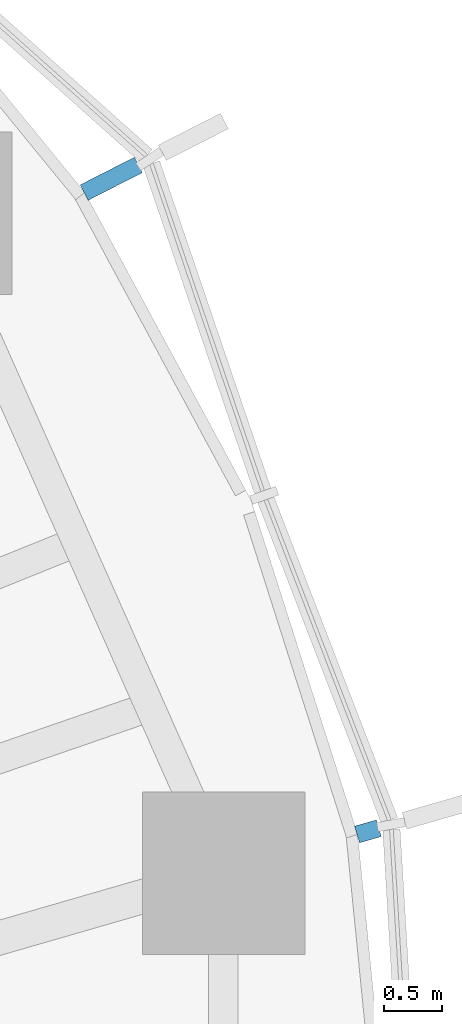
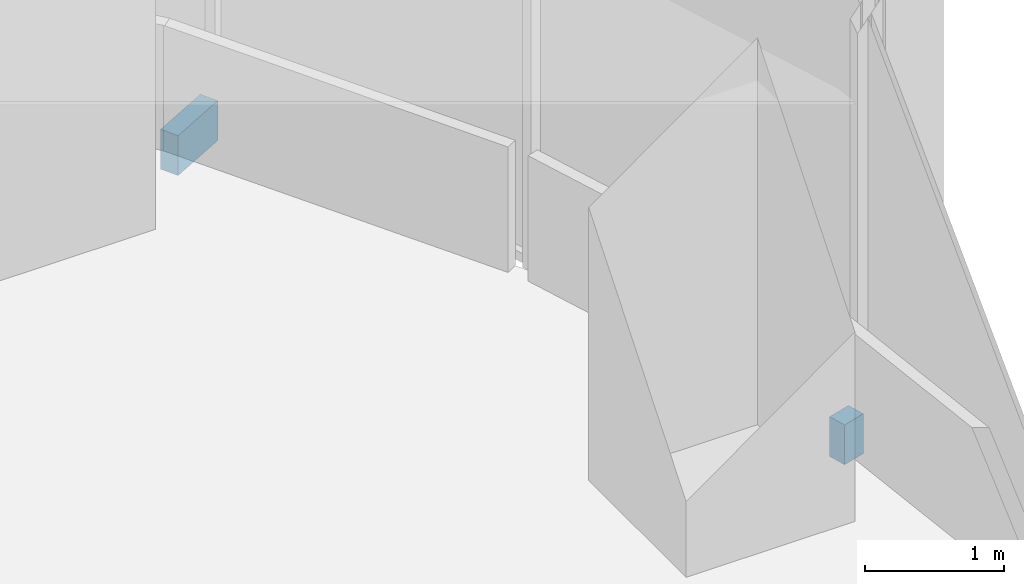
# One storey, part 16 of 18: 2 discrete accessories.
"""IFC4 building model written with IfcOpenShell, lengths in metres."""

from ifc_helpers import new_model, si_unit, direction, frame, origin, origin_2d, place, context, subcontext, project, spatial, rectangle, extrude, material, type_object, element, save


model = new_model("IFC4")

# Units and contexts
model_context = context("Model", 3, precision=1e-05, world=origin(), true_north=direction((0.0, 1.0)))
body_context = subcontext(model_context, "Body", "Model", "MODEL_VIEW")
ifc_project = project(units=[si_unit("LENGTHUNIT", "METRE"), si_unit("AREAUNIT", "SQUARE_METRE"), si_unit("VOLUMEUNIT", "CUBIC_METRE"), si_unit("PLANEANGLEUNIT", "RADIAN"), si_unit("MASSUNIT", "GRAM", prefix="KILO")], contexts=[model_context])

# Site, building, storey
site_placement = place(None, origin())
site = spatial("IfcSite", under=ifc_project, at=site_placement, CompositionType="ELEMENT")
building_placement = place(site_placement, origin())
building = spatial("IfcBuilding", under=site, at=building_placement, Name="Ghaith Harvest Tower", CompositionType="ELEMENT")
storey_placement = place(building_placement, frame((0.0, 0.0, 168.0)))
storey = spatial("IfcBuildingStorey", under=building, at=storey_placement, Name="L36", CompositionType="ELEMENT", Elevation=168.0)

# Discrete accessories
ifc_material_1 = material(Name="Stainless steel grade 1.4401", Category="steel")
discrete_accessory_type_1 = type_object("IfcDiscreteAccessoryType", Name="CURTAIN WALL BRACKET 195", PredefinedType="BRACKET", material=ifc_material_1)
discrete_accessory_1_placement = place(storey_placement, frame((30.528076171875, 8.8232421875, -0.25), z_axis=(0.0, 0.0, 1.0), x_axis=(0.960680349985, 0.277656739792, 0.0)))
element("IfcDiscreteAccessory", 1, at=discrete_accessory_1_placement, inside=storey, type_object=discrete_accessory_type_1, Name="CW-L bracket 1 bay 02 L36", PredefinedType="BRACKET", context=body_context, shape_type="SweptSolid", body=[
    extrude(rectangle(XDim=0.195068359375, YDim=0.14990234375, at=origin_2d()), origin(), (0.0, 0.0, 1.0), 0.35009765625),
])
ifc_material_2 = material(Name="Stainless steel grade 1.4401", Category="steel")
discrete_accessory_type_2 = type_object("IfcDiscreteAccessoryType", Name="CURTAIN WALL BRACKET 525", PredefinedType="BRACKET", material=ifc_material_2)
discrete_accessory_2_placement = place(storey_placement, frame((28.318115234375, 14.442626953125, -0.25), z_axis=(0.0, 0.0, 1.0), x_axis=(0.890830752257, 0.454335306611, 0.0)))
element("IfcDiscreteAccessory", 2, at=discrete_accessory_2_placement, inside=storey, type_object=discrete_accessory_type_2, Name="CW-L bracket 3 bay 02 L36", PredefinedType="BRACKET", context=body_context, shape_type="SweptSolid", body=[
    extrude(rectangle(XDim=0.52490234375, YDim=0.14990234375, at=origin_2d()), origin(), (0.0, 0.0, 1.0), 0.35009765625),
])

save(model, "model.ifc")
